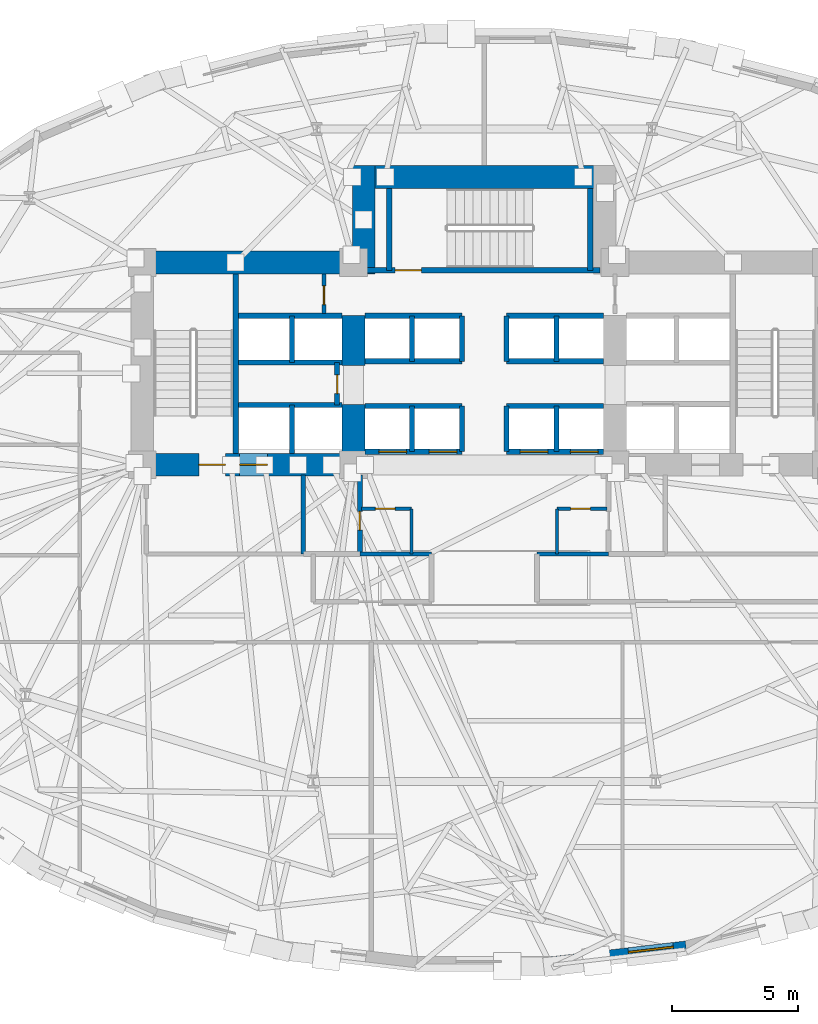
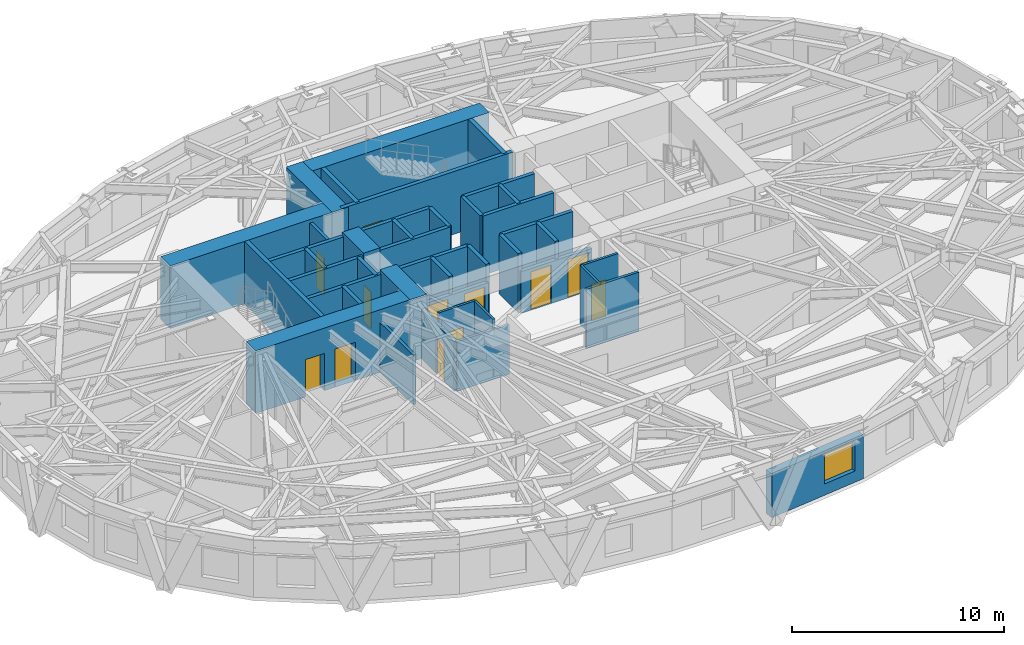
# One storey, part 7 of 14: 42 walls, 12 doors, 1 window, 13 openings.
"""IFC4 building model written with IfcOpenShell, lengths in metres."""

from ifc_helpers import new_model, si_unit, direction, frame, frame_2d, origin, place, context, subcontext, project, spatial, rectangle, extrude, material, layer, layer_set, type_object, element, fill, save


model = new_model("IFC4")

# Units and contexts
model_context = context("Model", 3, precision=1e-05, world=origin(), true_north=direction((0.0, 1.0)))
body_context = subcontext(model_context, "Body", "Model", "MODEL_VIEW")
ifc_project = project(units=[si_unit("LENGTHUNIT", "METRE"), si_unit("AREAUNIT", "SQUARE_METRE"), si_unit("VOLUMEUNIT", "CUBIC_METRE"), si_unit("PLANEANGLEUNIT", "RADIAN"), si_unit("MASSUNIT", "GRAM", prefix="KILO")], contexts=[model_context])

# Site, building, storey
site_placement = place(None, origin())
site = spatial("IfcSite", under=ifc_project, at=site_placement, CompositionType="ELEMENT")
building_placement = place(site_placement, origin())
building = spatial("IfcBuilding", under=site, at=building_placement, Name="Keldmark Tower", CompositionType="ELEMENT")
storey_placement = place(building_placement, frame((0.0, 0.0, 48.60009765625)))
storey = spatial("IfcBuildingStorey", under=building, at=storey_placement, Name="L12", CompositionType="ELEMENT", Elevation=48.60009765625)

# Wall, opening, door
ifc_material_1 = material(Name="Acoustic Gypsum Board Interior Partition", Category="gypsum")
ifc_layer_1 = layer(ifc_material_1, 0.1298828125)
ifc_layer_set_1 = layer_set([ifc_layer_1], Name="Acoustic Gypsum Board Interior Partition")
wall_type_1 = type_object("IfcWallType", Name="Interior Partition 130 mm", PredefinedType="PARTITIONING", material=ifc_layer_set_1)
wall_1_placement = place(storey_placement, frame((-4.8798828125, -0.35009765625, 0.0), z_axis=(0.0, 0.0, 1.0), x_axis=(1.0, 0.0, 0.0)))
wall_1 = element("IfcWall", 1, at=wall_1_placement, inside=storey, type_object=wall_type_1, Name="L12 Interior Partition 130 mm CSC-W-N", PredefinedType="PARTITIONING", context=body_context, shape_type="SweptSolid", body=[
    extrude(rectangle(XDim=1.989990234375, YDim=0.1298828125, at=frame_2d((0.9951171875, 0.0))), origin(), (0.0, 0.0, 1.0), 3.39990234375),
])
opening_1_placement = place(wall_1_placement, frame((0.550048828125, 0.0, 0.0)))
opening_1 = element("IfcOpeningElement", 2, at=opening_1_placement, cuts=wall_1, Name="Opening D-CL078", PredefinedType="OPENING", context=body_context, shape_type="SweptSolid", body=[
    extrude(rectangle(XDim=0.780029296875, YDim=2.10009765625, at=frame_2d((0.39013671875, 1.050048828125))), frame((0.0, 0.074951171875, 0.0), z_axis=(0.0, -1.0, 0.0), x_axis=(1.0, 0.0, 0.0)), (0.0, 0.0, 1.0), 0.14990234375),
])
ifc_material_2 = material(Name="Flush Utility Closet Timber Door", Category="wood")
door_type_1 = type_object("IfcDoorType", Name="Closet Door 780x2100", OperationType="NOTDEFINED", PredefinedType="DOOR", material=ifc_material_2)
door_1_placement = place(opening_1_placement, origin())
door_1 = element("IfcDoor", 3, at=door_1_placement, inside=storey, type_object=door_type_1, Name="L12 Closet Door 780x2100 D-CSCW1-L12", OperationType="SINGLE_SWING_RIGHT", OverallHeight=2.10009765625, OverallWidth=0.780029296875, PredefinedType="DOOR", context=body_context, shape_type="SweptSolid", body=[
    extrude(rectangle(XDim=0.780029296875, YDim=2.10009765625, at=frame_2d((0.39013671875, 1.050048828125))), frame((0.0, 0.02490234375, 0.0), z_axis=(0.0, -1.0, 0.0), x_axis=(1.0, 0.0, 0.0)), (0.0, 0.0, 1.0), 0.050048828125),
])
fill(opening_1, door_1)

# Wall
wall_2_placement = place(storey_placement, frame((-2.889892578125, -2.14990234375, 0.0), z_axis=(0.0, 0.0, 1.0), x_axis=(0.0, 1.0, 0.0)))
element("IfcWall", 4, at=wall_2_placement, inside=storey, type_object=wall_type_1, Name="L12 Interior Partition 130 mm CSC-W-E", PredefinedType="PARTITIONING", context=body_context, shape_type="SweptSolid", body=[
    extrude(rectangle(XDim=1.7998046875, YDim=0.1298828125, at=frame_2d((0.89990234375, 0.0))), origin(), (0.0, 0.0, 1.0), 3.39990234375),
])

# Wall, opening, door
wall_3_placement = place(storey_placement, frame((2.889892578125, -0.35009765625, 0.0), z_axis=(0.0, 0.0, 1.0), x_axis=(1.0, 0.0, 0.0)))
wall_3 = element("IfcWall", 5, at=wall_3_placement, inside=storey, type_object=wall_type_1, Name="L12 Interior Partition 130 mm CSC-E-N", PredefinedType="PARTITIONING", context=body_context, shape_type="SweptSolid", body=[
    extrude(rectangle(XDim=1.989990234375, YDim=0.1298828125, at=frame_2d((0.9951171875, 0.0))), origin(), (0.0, 0.0, 1.0), 3.39990234375),
])
opening_2_placement = place(wall_3_placement, frame((0.550048828125, 0.0, 0.0)))
opening_2 = element("IfcOpeningElement", 6, at=opening_2_placement, cuts=wall_3, Name="Opening D-CL078", PredefinedType="OPENING", context=body_context, shape_type="SweptSolid", body=[
    extrude(rectangle(XDim=0.780029296875, YDim=2.10009765625, at=frame_2d((0.39013671875, 1.050048828125))), frame((0.0, 0.074951171875, 0.0), z_axis=(0.0, -1.0, 0.0), x_axis=(1.0, 0.0, 0.0)), (0.0, 0.0, 1.0), 0.14990234375),
])
door_2_placement = place(opening_2_placement, origin())
door_2 = element("IfcDoor", 7, at=door_2_placement, inside=storey, type_object=door_type_1, Name="L12 Closet Door 780x2100 D-CSCE1-L12", OperationType="SINGLE_SWING_RIGHT", OverallHeight=2.10009765625, OverallWidth=0.780029296875, PredefinedType="DOOR", context=body_context, shape_type="SweptSolid", body=[
    extrude(rectangle(XDim=0.780029296875, YDim=2.10009765625, at=frame_2d((0.39013671875, 1.050048828125))), frame((0.0, 0.02490234375, 0.0), z_axis=(0.0, -1.0, 0.0), x_axis=(1.0, 0.0, 0.0)), (0.0, 0.0, 1.0), 0.050048828125),
])
fill(opening_2, door_2)

# Walls
wall_4_placement = place(storey_placement, frame((2.889892578125, -2.14990234375, 0.0), z_axis=(0.0, 0.0, 1.0), x_axis=(0.0, 1.0, 0.0)))
element("IfcWall", 8, at=wall_4_placement, inside=storey, type_object=wall_type_1, Name="L12 Interior Partition 130 mm CSC-E-W", PredefinedType="PARTITIONING", context=body_context, shape_type="SweptSolid", body=[
    extrude(rectangle(XDim=1.7998046875, YDim=0.1298828125, at=frame_2d((0.89990234375, 0.0))), origin(), (0.0, 0.0, 1.0), 3.39990234375),
])
ifc_material_3 = material(Name="Concrete C70/85", Category="concrete")
ifc_layer_2 = layer(ifc_material_3, 0.89990234375)
ifc_layer_set_2 = layer_set([ifc_layer_2], Name="Concrete C70/85")
wall_type_2 = type_object("IfcWallType", Name="Lower Core Shear Wall 900 mm", PredefinedType="SHEAR", material=ifc_layer_set_2)
wall_5_placement = place(storey_placement, frame((-14.050048828125, 9.449951171875, 0.0), z_axis=(0.0, 0.0, 1.0), x_axis=(1.0, 0.0, 0.0)))
element("IfcWall", 9, at=wall_5_placement, inside=storey, type_object=wall_type_2, Name="L12 West Core North Shear Wall", PredefinedType="SHEAR", context=body_context, shape_type="SweptSolid", body=[
    extrude(rectangle(XDim=9.699951171875, YDim=0.89990234375, at=frame_2d((4.85009765625, 0.0))), origin(), (0.0, 0.0, 1.0), 3.599853515625),
])

# Wall, openings, doors
wall_6_placement = place(storey_placement, frame((-4.75, 1.39990234375, 0.0), z_axis=(0.0, 0.0, 1.0), x_axis=(-1.0, 0.0, 0.0)))
wall_6 = element("IfcWall", 10, at=wall_6_placement, inside=storey, type_object=wall_type_2, Name="L12 West Core South Shear Wall", PredefinedType="SHEAR", context=body_context, shape_type="SweptSolid", body=[
    extrude(rectangle(XDim=9.300048828125, YDim=0.89990234375, at=frame_2d((4.64990234375, 0.0))), origin(), (0.0, 0.0, 1.0), 3.599853515625),
])
opening_3_placement = place(wall_6_placement, frame((5.550048828125, 0.0, 0.0)))
opening_3 = element("IfcOpeningElement", 11, at=opening_3_placement, cuts=wall_6, Name="Opening D-ST105", PredefinedType="OPENING", context=body_context, shape_type="SweptSolid", body=[
    extrude(rectangle(XDim=1.050048828125, YDim=2.14990234375, at=frame_2d((0.52490234375, 1.074951171875))), frame((0.0, 0.4599609375, 0.0), z_axis=(0.0, -1.0, 0.0), x_axis=(1.0, 0.0, 0.0)), (0.0, 0.0, 1.0), 0.919921875),
])
opening_4_placement = place(wall_6_placement, frame((3.8798828125, 0.0, 0.0)))
opening_4 = element("IfcOpeningElement", 12, at=opening_4_placement, cuts=wall_6, Name="Opening LD-110", PredefinedType="OPENING", context=body_context, shape_type="SweptSolid", body=[
    extrude(rectangle(XDim=1.10009765625, YDim=2.199951171875, at=frame_2d((0.550048828125, 1.10009765625))), frame((0.0, 0.4599609375, 0.0), z_axis=(0.0, -1.0, 0.0), x_axis=(1.0, 0.0, 0.0)), (0.0, 0.0, 1.0), 0.919921875),
])
ifc_material_4 = material(Name="Brushed Bronze Hoistway Sliding Leaf", Category="metal")
door_type_2 = type_object("IfcDoorType", Name="Lift Landing Sliding Door 1100x2200", OperationType="SLIDING_TO_LEFT", PredefinedType="DOOR", material=ifc_material_4)
door_3_placement = place(opening_4_placement, origin())
door_3 = element("IfcDoor", 13, at=door_3_placement, inside=storey, type_object=door_type_2, Name="L12 Lift Landing Sliding Door 1100x2200 LD-EL-FS1-L12", OperationType="SLIDING_TO_LEFT", OverallHeight=2.199951171875, OverallWidth=1.10009765625, PredefinedType="DOOR", context=body_context, shape_type="SweptSolid", body=[
    extrude(rectangle(XDim=1.10009765625, YDim=2.199951171875, at=frame_2d((0.550048828125, 1.10009765625))), frame((0.0, 0.02490234375, 0.0), z_axis=(0.0, -1.0, 0.0), x_axis=(1.0, 0.0, 0.0)), (0.0, 0.0, 1.0), 0.050048828125),
])
fill(opening_4, door_3)
ifc_material_5 = material(Name="Hollow Metal Fire-Rated Door Assembly", Category="metal")
door_type_3 = type_object("IfcDoorType", Name="Stair Fire Door 1050x2150", OperationType="NOTDEFINED", PredefinedType="DOOR", material=ifc_material_5)
door_4_placement = place(opening_3_placement, origin())
door_4 = element("IfcDoor", 14, at=door_4_placement, inside=storey, type_object=door_type_3, Name="L12 Stair Fire Door 1050x2150 D-ST1-L12", OperationType="SINGLE_SWING_RIGHT", OverallHeight=2.14990234375, OverallWidth=1.050048828125, PredefinedType="DOOR", context=body_context, shape_type="SweptSolid", body=[
    extrude(rectangle(XDim=1.050048828125, YDim=2.14990234375, at=frame_2d((0.52490234375, 1.074951171875))), frame((0.0, 0.02490234375, 0.0), z_axis=(0.0, -1.0, 0.0), x_axis=(1.0, 0.0, 0.0)), (0.0, 0.0, 1.0), 0.050048828125),
])
fill(opening_3, door_4)

# Walls
wall_7_placement = place(storey_placement, frame((-5.199951171875, 0.949951171875, 0.0), z_axis=(0.0, 0.0, 1.0), x_axis=(0.0, 1.0, 0.0)))
element("IfcWall", 15, at=wall_7_placement, inside=storey, type_object=wall_type_2, Name="L12 West Core Inner Shear Pier South", PredefinedType="SHEAR", context=body_context, shape_type="SweptSolid", body=[
    extrude(rectangle(XDim=2.85009765625, YDim=0.89990234375, at=frame_2d((1.425048828125, 0.0))), origin(), (0.0, 0.0, 1.0), 3.599853515625),
])
wall_8_placement = place(storey_placement, frame((-5.199951171875, 5.35009765625, 0.0), z_axis=(0.0, 0.0, 1.0), x_axis=(0.0, 1.0, 0.0)))
element("IfcWall", 16, at=wall_8_placement, inside=storey, type_object=wall_type_2, Name="L12 West Core Inner Shear Pier North", PredefinedType="SHEAR", context=body_context, shape_type="SweptSolid", body=[
    extrude(rectangle(XDim=2.0, YDim=0.89990234375, at=frame_2d((1.0, 0.0))), origin(), (0.0, 0.0, 1.0), 3.599853515625),
])
wall_9_placement = place(storey_placement, frame((-5.25, 12.85009765625, 0.0), z_axis=(0.0, 0.0, 1.0), x_axis=(1.0, 0.0, 0.0)))
element("IfcWall", 17, at=wall_9_placement, inside=storey, type_object=wall_type_2, Name="L12 North Core Shear Wall", PredefinedType="SHEAR", context=body_context, shape_type="SweptSolid", body=[
    extrude(rectangle(XDim=10.5, YDim=0.89990234375, at=frame_2d((5.25, 0.0))), origin(), (0.0, 0.0, 1.0), 3.599853515625),
])
wall_10_placement = place(storey_placement, frame((-4.800048828125, 9.0, 0.0), z_axis=(0.0, 0.0, 1.0), x_axis=(0.0, 1.0, 0.0)))
element("IfcWall", 18, at=wall_10_placement, inside=storey, type_object=wall_type_2, Name="L12 North Core West Shear Wall", PredefinedType="SHEAR", context=body_context, shape_type="SweptSolid", body=[
    extrude(rectangle(XDim=4.300048828125, YDim=0.89990234375, at=frame_2d((2.14990234375, 0.0))), origin(), (0.0, 0.0, 1.0), 3.599853515625),
])
ifc_material_6 = material(Name="Type X Fire-Rated Gypsum Partition Assembly", Category="gypsum")
ifc_layer_3 = layer(ifc_material_6, 0.1650390625)
ifc_layer_set_3 = layer_set([ifc_layer_3], Name="Type X Fire-Rated Gypsum Partition Assembly")
wall_type_3 = type_object("IfcWallType", Name="Rated Partition 165 mm", PredefinedType="PARTITIONING", material=ifc_layer_set_3)
wall_11_placement = place(storey_placement, frame((-7.199951171875, -2.14990234375, 0.0), z_axis=(0.0, 0.0, 1.0), x_axis=(0.0, 1.0, 0.0)))
element("IfcWall", 19, at=wall_11_placement, inside=storey, type_object=wall_type_3, Name="L12 Rated Partition 165 mm FSAE-W-E", PredefinedType="PARTITIONING", context=body_context, shape_type="SweptSolid", body=[
    extrude(rectangle(XDim=3.14990234375, YDim=0.1650390625, at=frame_2d((1.574951171875, 0.0))), origin(), (0.0, 0.0, 1.0), 2.852783203125),
])

# Wall, opening, door
wall_12_placement = place(storey_placement, frame((-6.3798828125, 7.419921875, 0.0), z_axis=(0.0, 0.0, 1.0), x_axis=(0.0, 1.0, 0.0)))
wall_12 = element("IfcWall", 20, at=wall_12_placement, inside=storey, type_object=wall_type_3, Name="L12 Rated Partition 165 mm CS-NW-E", PredefinedType="PARTITIONING", context=body_context, shape_type="SweptSolid", body=[
    extrude(rectangle(XDim=1.580078125, YDim=0.1650390625, at=frame_2d((0.7900390625, 0.0))), origin(), (0.0, 0.0, 1.0), 3.39990234375),
])
opening_5_placement = place(wall_12_placement, frame((0.35009765625, 0.0, 0.0)))
opening_5 = element("IfcOpeningElement", 21, at=opening_5_placement, cuts=wall_12, Name="Opening D-RS075", PredefinedType="OPENING", context=body_context, shape_type="SweptSolid", body=[
    extrude(rectangle(XDim=0.75, YDim=2.10009765625, at=frame_2d((0.375, 1.050048828125))), frame((0.0, 0.092529296875, 0.0), z_axis=(0.0, -1.0, 0.0), x_axis=(1.0, 0.0, 0.0)), (0.0, 0.0, 1.0), 0.18505859375),
])
ifc_material_7 = material(Name="Galvanized Fire-Rated Access Leaf", Category="metal")
door_type_4 = type_object("IfcDoorType", Name="Riser Access Door 750x2100", OperationType="NOTDEFINED", PredefinedType="DOOR", material=ifc_material_7)
door_5_placement = place(opening_5_placement, origin())
door_5 = element("IfcDoor", 22, at=door_5_placement, inside=storey, type_object=door_type_4, Name="L12 Riser Access Door 750x2100 D-CSNW1-L12", OperationType="SINGLE_SWING_RIGHT", OverallHeight=2.10009765625, OverallWidth=0.75, PredefinedType="DOOR", context=body_context, shape_type="SweptSolid", body=[
    extrude(rectangle(XDim=0.75, YDim=2.10009765625, at=frame_2d((0.375, 1.050048828125))), frame((0.0, 0.02490234375, 0.0), z_axis=(0.0, -1.0, 0.0), x_axis=(1.0, 0.0, 0.0)), (0.0, 0.0, 1.0), 0.050048828125),
])
fill(opening_5, door_5)

ifc_material_8 = material(Name="Fire-Resistant Type X Gypsum Shaftliner Coreboard", Category="gypsum")
ifc_layer_4 = layer(ifc_material_8, 0.199951171875)
ifc_layer_set_4 = layer_set([ifc_layer_4], Name="Fire-Resistant Type X Gypsum Shaftliner Coreboard")
wall_type_4 = type_object("IfcWallType", Name="Shaft Wall 200 mm", PredefinedType="SOLIDWALL", material=ifc_layer_set_4)
wall_13_placement = place(storey_placement, frame((-4.949951171875, -2.14990234375, 0.0), z_axis=(0.0, 0.0, 1.0), x_axis=(0.0, 1.0, 0.0)))
wall_13 = element("IfcWall", 23, at=wall_13_placement, inside=storey, type_object=wall_type_4, Name="L12 Shaft Wall 200 mm RIS-SW-E", PredefinedType="SOLIDWALL", context=body_context, shape_type="SweptSolid", body=[
    extrude(rectangle(XDim=3.14990234375, YDim=0.199951171875, at=frame_2d((1.574951171875, 0.0))), origin(), (0.0, 0.0, 1.0), 2.852783203125),
])
opening_6_placement = place(wall_13_placement, frame((0.949951171875, 0.0, 0.0)))
opening_6 = element("IfcOpeningElement", 24, at=opening_6_placement, cuts=wall_13, Name="Opening D-RS075", PredefinedType="OPENING", context=body_context, shape_type="SweptSolid", body=[
    extrude(rectangle(XDim=0.75, YDim=2.10009765625, at=frame_2d((0.375, 1.050048828125))), frame((0.0, 0.10986328125, 0.0), z_axis=(0.0, -1.0, 0.0), x_axis=(1.0, 0.0, 0.0)), (0.0, 0.0, 1.0), 0.219970703125),
])
door_6_placement = place(opening_6_placement, origin())
door_6 = element("IfcDoor", 25, at=door_6_placement, inside=storey, type_object=door_type_4, Name="L12 Riser Access Door 750x2100 D-RISSW-L12", OperationType="SINGLE_SWING_RIGHT", OverallHeight=2.10009765625, OverallWidth=0.75, PredefinedType="DOOR", context=body_context, shape_type="SweptSolid", body=[
    extrude(rectangle(XDim=0.75, YDim=2.10009765625, at=frame_2d((0.375, 1.050048828125))), frame((0.0, 0.02490234375, 0.0), z_axis=(0.0, -1.0, 0.0), x_axis=(1.0, 0.0, 0.0)), (0.0, 0.0, 1.0), 0.050048828125),
])
fill(opening_6, door_6)

# Walls
wall_14_placement = place(storey_placement, frame((-9.780029296875, 3.780029296875, 0.0), z_axis=(0.0, 0.0, 1.0), x_axis=(1.0, 0.0, 0.0)))
element("IfcWall", 26, at=wall_14_placement, inside=storey, type_object=wall_type_4, Name="L12 Shaft Wall 200 mm HW-W-S", PredefinedType="SOLIDWALL", context=body_context, shape_type="SweptSolid", body=[
    extrude(rectangle(XDim=4.130126953125, YDim=0.199951171875, at=frame_2d((2.06494140625, 0.0))), origin(), (0.0, 0.0, 1.0), 3.39990234375),
])
wall_15_placement = place(storey_placement, frame((-7.64990234375, 1.85009765625, 0.0), z_axis=(0.0, 0.0, 1.0), x_axis=(0.0, 1.0, 0.0)))
element("IfcWall", 27, at=wall_15_placement, inside=storey, type_object=wall_type_4, Name="L12 Shaft Wall 200 mm HW-W-M", PredefinedType="SOLIDWALL", context=body_context, shape_type="SweptSolid", body=[
    extrude(rectangle(XDim=1.929931640625, YDim=0.199951171875, at=frame_2d((0.96484375, 0.0))), origin(), (0.0, 0.0, 1.0), 3.39990234375),
])
for number, where, z_axis, x_axis, name in (
    (28, (-9.780029296875, 5.469970703125, 0.0), (0.0, 0.0, 1.0), (1.0, 0.0, 0.0), "L12 Shaft Wall 200 mm HW-W-N"),
    (29, (-9.780029296875, 7.330078125, 0.0), (0.0, 0.0, 1.0), (1.0, 0.0, 0.0), "L12 Shaft Wall 200 mm HW-W-TOP"),
):
    element("IfcWall", number, at=place(storey_placement, frame(where, z_axis=z_axis, x_axis=x_axis)), inside=storey, type_object=wall_type_4, Name=name, PredefinedType="SOLIDWALL", context=body_context, shape_type="SweptSolid", body=[
        extrude(rectangle(XDim=4.130126953125, YDim=0.199951171875, at=frame_2d((2.06494140625, 0.0))), origin(), (0.0, 0.0, 1.0), 3.39990234375),
    ])
wall_16_placement = place(storey_placement, frame((-7.64990234375, 5.469970703125, 0.0), z_axis=(0.0, 0.0, 1.0), x_axis=(0.0, 1.0, 0.0)))
element("IfcWall", 30, at=wall_16_placement, inside=storey, type_object=wall_type_4, Name="L12 Shaft Wall 200 mm HW-W-NM", PredefinedType="SOLIDWALL", context=body_context, shape_type="SweptSolid", body=[
    extrude(rectangle(XDim=1.860107421875, YDim=0.199951171875, at=frame_2d((0.93017578125, 0.0))), origin(), (0.0, 0.0, 1.0), 3.39990234375),
])

# Wall, opening, door
wall_17_placement = place(storey_placement, frame((-5.85009765625, 3.780029296875, 0.0), z_axis=(0.0, 0.0, 1.0), x_axis=(0.0, 1.0, 0.0)))
wall_17 = element("IfcWall", 31, at=wall_17_placement, inside=storey, type_object=wall_type_4, Name="L12 Shaft Wall 200 mm HW-W-CLOSE", PredefinedType="SOLIDWALL", context=body_context, shape_type="SweptSolid", body=[
    extrude(rectangle(XDim=1.68994140625, YDim=0.199951171875, at=frame_2d((0.844970703125, 0.0))), origin(), (0.0, 0.0, 1.0), 3.39990234375),
])
opening_7_placement = place(wall_17_placement, frame((0.449951171875, 0.0, 0.0)))
opening_7 = element("IfcOpeningElement", 32, at=opening_7_placement, cuts=wall_17, Name="Opening D-RS075", PredefinedType="OPENING", context=body_context, shape_type="SweptSolid", body=[
    extrude(rectangle(XDim=0.75, YDim=2.10009765625, at=frame_2d((0.375, 1.050048828125))), frame((0.0, 0.10986328125, 0.0), z_axis=(0.0, -1.0, 0.0), x_axis=(1.0, 0.0, 0.0)), (0.0, 0.0, 1.0), 0.219970703125),
])
door_7_placement = place(opening_7_placement, origin())
door_7 = element("IfcDoor", 33, at=door_7_placement, inside=storey, type_object=door_type_4, Name="L12 Riser Access Door 750x2100 D-RISHW-L12", OperationType="SINGLE_SWING_RIGHT", OverallHeight=2.10009765625, OverallWidth=0.75, PredefinedType="DOOR", context=body_context, shape_type="SweptSolid", body=[
    extrude(rectangle(XDim=0.75, YDim=2.10009765625, at=frame_2d((0.375, 1.050048828125))), frame((0.0, 0.02490234375, 0.0), z_axis=(0.0, -1.0, 0.0), x_axis=(1.0, 0.0, 0.0)), (0.0, 0.0, 1.0), 0.050048828125),
])
fill(opening_7, door_7)

# Wall, openings, doors
wall_18_placement = place(storey_placement, frame((-4.739990234375, 1.919921875, 0.0), z_axis=(0.0, 0.0, 1.0), x_axis=(1.0, 0.0, 0.0)))
wall_18 = element("IfcWall", 34, at=wall_18_placement, inside=storey, type_object=wall_type_4, Name="L12 Shaft Wall 200 mm LOW-S-W", PredefinedType="SOLIDWALL", context=body_context, shape_type="SweptSolid", body=[
    extrude(rectangle(XDim=3.860107421875, YDim=0.199951171875, at=frame_2d((1.93017578125, 0.0))), origin(), (0.0, 0.0, 1.0), 2.389892578125),
])
opening_8_placement = place(wall_18_placement, frame((0.550048828125, 0.0, 0.0)))
opening_8 = element("IfcOpeningElement", 35, at=opening_8_placement, cuts=wall_18, Name="Opening LD-110", PredefinedType="OPENING", context=body_context, shape_type="SweptSolid", body=[
    extrude(rectangle(XDim=1.10009765625, YDim=2.199951171875, at=frame_2d((0.550048828125, 1.10009765625))), frame((0.0, 0.10986328125, 0.0), z_axis=(0.0, -1.0, 0.0), x_axis=(1.0, 0.0, 0.0)), (0.0, 0.0, 1.0), 0.219970703125),
])
opening_9_placement = place(wall_18_placement, frame((2.550048828125, 0.0, 0.0)))
opening_9 = element("IfcOpeningElement", 36, at=opening_9_placement, cuts=wall_18, Name="Opening LD-110", PredefinedType="OPENING", context=body_context, shape_type="SweptSolid", body=[
    extrude(rectangle(XDim=1.10009765625, YDim=2.199951171875, at=frame_2d((0.550048828125, 1.10009765625))), frame((0.0, 0.10986328125, 0.0), z_axis=(0.0, -1.0, 0.0), x_axis=(1.0, 0.0, 0.0)), (0.0, 0.0, 1.0), 0.219970703125),
])
door_8_placement = place(opening_8_placement, origin())
door_8 = element("IfcDoor", 37, at=door_8_placement, inside=storey, type_object=door_type_2, Name="L12 Lift Landing Sliding Door 1100x2200 LD-EL-L1-L12", OperationType="SLIDING_TO_LEFT", OverallHeight=2.199951171875, OverallWidth=1.10009765625, PredefinedType="DOOR", context=body_context, shape_type="SweptSolid", body=[
    extrude(rectangle(XDim=1.10009765625, YDim=2.199951171875, at=frame_2d((0.550048828125, 1.10009765625))), frame((0.0, 0.02490234375, 0.0), z_axis=(0.0, -1.0, 0.0), x_axis=(1.0, 0.0, 0.0)), (0.0, 0.0, 1.0), 0.050048828125),
])
fill(opening_8, door_8)
door_9_placement = place(opening_9_placement, origin())
door_9 = element("IfcDoor", 38, at=door_9_placement, inside=storey, type_object=door_type_2, Name="L12 Lift Landing Sliding Door 1100x2200 LD-EL-L2-L12", OperationType="SLIDING_TO_LEFT", OverallHeight=2.199951171875, OverallWidth=1.10009765625, PredefinedType="DOOR", context=body_context, shape_type="SweptSolid", body=[
    extrude(rectangle(XDim=1.10009765625, YDim=2.199951171875, at=frame_2d((0.550048828125, 1.10009765625))), frame((0.0, 0.02490234375, 0.0), z_axis=(0.0, -1.0, 0.0), x_axis=(1.0, 0.0, 0.0)), (0.0, 0.0, 1.0), 0.050048828125),
])
fill(opening_9, door_9)

wall_19_placement = place(storey_placement, frame((0.8798828125, 1.919921875, 0.0), z_axis=(0.0, 0.0, 1.0), x_axis=(1.0, 0.0, 0.0)))
wall_19 = element("IfcWall", 39, at=wall_19_placement, inside=storey, type_object=wall_type_4, Name="L12 Shaft Wall 200 mm LOW-S-E", PredefinedType="SOLIDWALL", context=body_context, shape_type="SweptSolid", body=[
    extrude(rectangle(XDim=3.860107421875, YDim=0.199951171875, at=frame_2d((1.93017578125, 0.0))), origin(), (0.0, 0.0, 1.0), 2.389892578125),
])
opening_10_placement = place(wall_19_placement, frame((0.550048828125, 0.0, 0.0)))
opening_10 = element("IfcOpeningElement", 40, at=opening_10_placement, cuts=wall_19, Name="Opening LD-110", PredefinedType="OPENING", context=body_context, shape_type="SweptSolid", body=[
    extrude(rectangle(XDim=1.10009765625, YDim=2.199951171875, at=frame_2d((0.550048828125, 1.10009765625))), frame((0.0, 0.10986328125, 0.0), z_axis=(0.0, -1.0, 0.0), x_axis=(1.0, 0.0, 0.0)), (0.0, 0.0, 1.0), 0.219970703125),
])
opening_11_placement = place(wall_19_placement, frame((2.550048828125, 0.0, 0.0)))
opening_11 = element("IfcOpeningElement", 41, at=opening_11_placement, cuts=wall_19, Name="Opening LD-110", PredefinedType="OPENING", context=body_context, shape_type="SweptSolid", body=[
    extrude(rectangle(XDim=1.10009765625, YDim=2.199951171875, at=frame_2d((0.550048828125, 1.10009765625))), frame((0.0, 0.10986328125, 0.0), z_axis=(0.0, -1.0, 0.0), x_axis=(1.0, 0.0, 0.0)), (0.0, 0.0, 1.0), 0.219970703125),
])
door_10_placement = place(opening_10_placement, origin())
door_10 = element("IfcDoor", 42, at=door_10_placement, inside=storey, type_object=door_type_2, Name="L12 Lift Landing Sliding Door 1100x2200 LD-EL-L3-L12", OperationType="SLIDING_TO_LEFT", OverallHeight=2.199951171875, OverallWidth=1.10009765625, PredefinedType="DOOR", context=body_context, shape_type="SweptSolid", body=[
    extrude(rectangle(XDim=1.10009765625, YDim=2.199951171875, at=frame_2d((0.550048828125, 1.10009765625))), frame((0.0, 0.02490234375, 0.0), z_axis=(0.0, -1.0, 0.0), x_axis=(1.0, 0.0, 0.0)), (0.0, 0.0, 1.0), 0.050048828125),
])
fill(opening_10, door_10)
door_11_placement = place(opening_11_placement, origin())
door_11 = element("IfcDoor", 43, at=door_11_placement, inside=storey, type_object=door_type_2, Name="L12 Lift Landing Sliding Door 1100x2200 LD-EL-L4-L12", OperationType="SLIDING_TO_LEFT", OverallHeight=2.199951171875, OverallWidth=1.10009765625, PredefinedType="DOOR", context=body_context, shape_type="SweptSolid", body=[
    extrude(rectangle(XDim=1.10009765625, YDim=2.199951171875, at=frame_2d((0.550048828125, 1.10009765625))), frame((0.0, 0.02490234375, 0.0), z_axis=(0.0, -1.0, 0.0), x_axis=(1.0, 0.0, 0.0)), (0.0, 0.0, 1.0), 0.050048828125),
])
fill(opening_11, door_11)

# Walls
for number, where, z_axis, x_axis, name in (
    (44, (-4.739990234375, 3.739990234375, 0.0), (0.0, 0.0, 1.0), (1.0, 0.0, 0.0), "L12 Shaft Wall 200 mm LOW-N-W"),
    (45, (0.8798828125, 3.739990234375, 0.0), (0.0, 0.0, 1.0), (1.0, 0.0, 0.0), "L12 Shaft Wall 200 mm LOW-N-E"),
):
    element("IfcWall", number, at=place(storey_placement, frame(where, z_axis=z_axis, x_axis=x_axis)), inside=storey, type_object=wall_type_4, Name=name, PredefinedType="SOLIDWALL", context=body_context, shape_type="SweptSolid", body=[
        extrude(rectangle(XDim=3.860107421875, YDim=0.199951171875, at=frame_2d((1.93017578125, 0.0))), origin(), (0.0, 0.0, 1.0), 3.39990234375),
    ])
for number, where, z_axis, x_axis, name in (
    (46, (-2.8798828125, 1.919921875, 0.0), (0.0, 0.0, 1.0), (0.0, 1.0, 0.0), "L12 Shaft Wall 200 mm LOW-M-W"),
    (47, (2.8798828125, 1.919921875, 0.0), (0.0, 0.0, 1.0), (0.0, 1.0, 0.0), "L12 Shaft Wall 200 mm LOW-M-E"),
    (48, (-0.8798828125, 1.919921875, 0.0), (0.0, 0.0, 1.0), (0.0, 1.0, 0.0), "L12 Shaft Wall 200 mm LOW-C-W"),
    (49, (0.8798828125, 1.919921875, 0.0), (0.0, 0.0, 1.0), (0.0, 1.0, 0.0), "L12 Shaft Wall 200 mm LOW-C-E"),
):
    element("IfcWall", number, at=place(storey_placement, frame(where, z_axis=z_axis, x_axis=x_axis)), inside=storey, type_object=wall_type_4, Name=name, PredefinedType="SOLIDWALL", context=body_context, shape_type="SweptSolid", body=[
        extrude(rectangle(XDim=1.820068359375, YDim=0.199951171875, at=frame_2d((0.91015625, 0.0))), origin(), (0.0, 0.0, 1.0), 3.39990234375),
    ])
for number, where, z_axis, x_axis, name in (
    (50, (-4.739990234375, 5.52001953125, 0.0), (0.0, 0.0, 1.0), (1.0, 0.0, 0.0), "L12 Shaft Wall 200 mm MID-S-W"),
    (51, (0.8798828125, 5.52001953125, 0.0), (0.0, 0.0, 1.0), (1.0, 0.0, 0.0), "L12 Shaft Wall 200 mm MID-S-E"),
    (52, (-4.739990234375, 7.330078125, 0.0), (0.0, 0.0, 1.0), (1.0, 0.0, 0.0), "L12 Shaft Wall 200 mm MID-N-W"),
    (53, (0.8798828125, 7.330078125, 0.0), (0.0, 0.0, 1.0), (1.0, 0.0, 0.0), "L12 Shaft Wall 200 mm MID-N-E"),
):
    element("IfcWall", number, at=place(storey_placement, frame(where, z_axis=z_axis, x_axis=x_axis)), inside=storey, type_object=wall_type_4, Name=name, PredefinedType="SOLIDWALL", context=body_context, shape_type="SweptSolid", body=[
        extrude(rectangle(XDim=3.860107421875, YDim=0.199951171875, at=frame_2d((1.93017578125, 0.0))), origin(), (0.0, 0.0, 1.0), 3.39990234375),
    ])
for number, where, z_axis, x_axis, name in (
    (54, (-2.8798828125, 5.52001953125, 0.0), (0.0, 0.0, 1.0), (0.0, 1.0, 0.0), "L12 Shaft Wall 200 mm MID-M-W"),
    (55, (2.8798828125, 5.52001953125, 0.0), (0.0, 0.0, 1.0), (0.0, 1.0, 0.0), "L12 Shaft Wall 200 mm MID-M-E"),
    (56, (-0.8798828125, 5.52001953125, 0.0), (0.0, 0.0, 1.0), (0.0, 1.0, 0.0), "L12 Shaft Wall 200 mm MID-C-W"),
    (57, (0.8798828125, 5.52001953125, 0.0), (0.0, 0.0, 1.0), (0.0, 1.0, 0.0), "L12 Shaft Wall 200 mm MID-C-E"),
):
    element("IfcWall", number, at=place(storey_placement, frame(where, z_axis=z_axis, x_axis=x_axis)), inside=storey, type_object=wall_type_4, Name=name, PredefinedType="SOLIDWALL", context=body_context, shape_type="SweptSolid", body=[
        extrude(rectangle(XDim=1.81005859375, YDim=0.199951171875, at=frame_2d((0.905029296875, 0.0))), origin(), (0.0, 0.0, 1.0), 3.39990234375),
    ])
ifc_material_9 = material(Name="Concrete C50/60", Category="concrete")
ifc_layer_5 = layer(ifc_material_9, 0.219970703125)
ifc_layer_set_5 = layer_set([ifc_layer_5], Name="Concrete C50/60")
wall_type_5 = type_object("IfcWallType", Name="Stair Core Shear Wall 220 mm", PredefinedType="SHEAR", material=ifc_layer_set_5)
wall_20_placement = place(storey_placement, frame((-9.889892578125, 1.85009765625, 0.0), z_axis=(0.0, 0.0, 1.0), x_axis=(0.0, 1.0, 0.0)))
element("IfcWall", 58, at=wall_20_placement, inside=storey, type_object=wall_type_5, Name="L12 West Stair Core Shear Wall", PredefinedType="SHEAR", context=body_context, shape_type="SweptSolid", body=[
    extrude(rectangle(XDim=7.14990234375, YDim=0.219970703125, at=frame_2d((3.574951171875, 0.0))), origin(), (0.0, 0.0, 1.0), 3.599853515625),
])

# Wall, opening, door
wall_21_placement = place(storey_placement, frame((-4.699951171875, 9.139892578125, 0.0), z_axis=(0.0, 0.0, 1.0), x_axis=(1.0, 0.0, 0.0)))
wall_21 = element("IfcWall", 59, at=wall_21_placement, inside=storey, type_object=wall_type_5, Name="L12 Central Stair Core South Shear Wall", PredefinedType="SHEAR", context=body_context, shape_type="SweptSolid", body=[
    extrude(rectangle(XDim=9.300048828125, YDim=0.219970703125, at=frame_2d((4.64990234375, 0.0))), origin(), (0.0, 0.0, 1.0), 3.599853515625),
])
opening_12_placement = place(wall_21_placement, frame((1.14990234375, 0.0, 0.0)))
opening_12 = element("IfcOpeningElement", 60, at=opening_12_placement, cuts=wall_21, Name="Opening D-ST105", PredefinedType="OPENING", context=body_context, shape_type="SweptSolid", body=[
    extrude(rectangle(XDim=1.050048828125, YDim=2.14990234375, at=frame_2d((0.52490234375, 1.074951171875))), frame((0.0, 0.119873046875, 0.0), z_axis=(0.0, -1.0, 0.0), x_axis=(1.0, 0.0, 0.0)), (0.0, 0.0, 1.0), 0.239990234375),
])
door_12_placement = place(opening_12_placement, origin())
door_12 = element("IfcDoor", 61, at=door_12_placement, inside=storey, type_object=door_type_3, Name="L12 Stair Fire Door 1050x2150 D-ST3-L12", OperationType="SINGLE_SWING_RIGHT", OverallHeight=2.14990234375, OverallWidth=1.050048828125, PredefinedType="DOOR", context=body_context, shape_type="SweptSolid", body=[
    extrude(rectangle(XDim=1.050048828125, YDim=2.14990234375, at=frame_2d((0.52490234375, 1.074951171875))), frame((0.0, 0.02490234375, 0.0), z_axis=(0.0, -1.0, 0.0), x_axis=(1.0, 0.0, 0.0)), (0.0, 0.0, 1.0), 0.050048828125),
])
fill(opening_12, door_12)

# Walls
for number, where, z_axis, x_axis, name in (
    (62, (-3.784912109375, 9.139892578125, 0.0), (0.0, 0.0, 1.0), (0.0, 1.0, 0.0), "L12 Central Stair Core West Shear Wall"),
    (63, (4.215087890625, 9.139892578125, 0.0), (0.0, 0.0, 1.0), (0.0, 1.0, 0.0), "L12 Central Stair Core East Shear Wall"),
):
    element("IfcWall", number, at=place(storey_placement, frame(where, z_axis=z_axis, x_axis=x_axis)), inside=storey, type_object=wall_type_5, Name=name, PredefinedType="SHEAR", context=body_context, shape_type="SweptSolid", body=[
        extrude(rectangle(XDim=3.260009765625, YDim=0.219970703125, at=frame_2d((1.6298828125, 0.0))), origin(), (0.0, 0.0, 1.0), 3.599853515625),
    ])

# Wall, opening, window
ifc_material_10 = material(Name="Ironspot Manganese Brick and Kasota Buff Limestone Spandrel Assembly", Category="masonry")
ifc_layer_6 = layer(ifc_material_10, 0.43994140625)
ifc_layer_set_6 = layer_set([ifc_layer_6], Name="Ironspot Manganese Brick and Kasota Buff Limestone Spandrel Assembly")
wall_type_6 = type_object("IfcWallType", Name="Tower Brick Pier and Spandrel Wall 440 mm", PredefinedType="STANDARD", material=ifc_layer_set_6)
wall_22_placement = place(storey_placement, frame((8.024658203125, -17.76416015625, 0.0), z_axis=(0.0, 0.0, 1.0), x_axis=(-0.993159890371, -0.116762289112, 0.0)))
wall_22 = element("IfcWall", 64, at=wall_22_placement, inside=storey, type_object=wall_type_6, Name="L12 Exterior Brick and Spandrel Wall 25", PredefinedType="STANDARD", context=body_context, shape_type="SweptSolid", body=[
    extrude(rectangle(XDim=5.382080078125, YDim=0.43994140625, at=frame_2d((2.69091796875, 0.0))), origin(), (0.0, 0.0, 1.0), 2.52880859375),
])
opening_13_placement = place(wall_22_placement, frame((0.498291015625, 0.0, 0.64990234375)))
opening_13 = element("IfcOpeningElement", 65, at=opening_13_placement, cuts=wall_22, Name="Opening W-02", PredefinedType="OPENING", context=body_context, shape_type="SweptSolid", body=[
    extrude(rectangle(XDim=1.800048828125, YDim=1.699951171875, at=frame_2d((0.89990234375, 0.85009765625))), frame((0.0, 0.22998046875, 0.0), z_axis=(0.0, -1.0, 0.0), x_axis=(1.0, 0.0, 0.0)), (0.0, 0.0, 1.0), 0.4599609375),
])
ifc_material_11 = material(Name="Thermally Broken Anodized Aluminum and Triple Low-E Argon Glazing", Category="aluminium")
window_type = type_object("IfcWindowType", Name="Office Deep-Set Triple Window 1800x1700", PartitioningType="TRIPLE_PANEL_VERTICAL", PredefinedType="WINDOW", material=ifc_material_11)
window_placement = place(opening_13_placement, origin())
window = element("IfcWindow", 66, at=window_placement, inside=storey, type_object=window_type, Name="L12 Deep-Set Window 25", OverallHeight=1.699951171875, OverallWidth=1.800048828125, PartitioningType="SINGLE_PANEL", PredefinedType="WINDOW", context=body_context, shape_type="SweptSolid", body=[
    extrude(rectangle(XDim=1.800048828125, YDim=1.699951171875, at=frame_2d((0.89990234375, 0.85009765625))), frame((0.0, -0.010009765625, 0.0), z_axis=(0.0, -1.0, 0.0), x_axis=(1.0, 0.0, 0.0)), (0.0, 0.0, 1.0), 0.06005859375),
])
fill(opening_13, window)

# Walls
ifc_material_12 = material(Name="Moisture-Resistant Gypsum Plumbing Partition", Category="gypsum")
ifc_layer_7 = layer(ifc_material_12, 0.14990234375)
ifc_layer_set_7 = layer_set([ifc_layer_7], Name="Moisture-Resistant Gypsum Plumbing Partition")
wall_type_7 = type_object("IfcWallType", Name="Wet Wall 150 mm", PredefinedType="PLUMBINGWALL", material=ifc_layer_set_7)
wall_23_placement = place(storey_placement, frame((-4.949951171875, -2.14990234375, 0.0), z_axis=(0.0, 0.0, 1.0), x_axis=(1.0, 0.0, 0.0)))
element("IfcWall", 67, at=wall_23_placement, inside=storey, type_object=wall_type_7, Name="L12 Wet Wall 150 mm SPK-W-N", PredefinedType="PLUMBINGWALL", context=body_context, shape_type="SweptSolid", body=[
    extrude(rectangle(XDim=2.849853515625, YDim=0.14990234375, at=frame_2d((1.4248046875, 0.0))), origin(), (0.0, 0.0, 1.0), 2.852783203125),
])
wall_24_placement = place(storey_placement, frame((2.10009765625, -2.14990234375, 0.0), z_axis=(0.0, 0.0, 1.0), x_axis=(1.0, 0.0, 0.0)))
element("IfcWall", 68, at=wall_24_placement, inside=storey, type_object=wall_type_7, Name="L12 Wet Wall 150 mm SPK-E-N", PredefinedType="PLUMBINGWALL", context=body_context, shape_type="SweptSolid", body=[
    extrude(rectangle(XDim=2.849853515625, YDim=0.14990234375, at=frame_2d((1.4248046875, 0.0))), origin(), (0.0, 0.0, 1.0), 3.39990234375),
])

save(model, "model.ifc")
